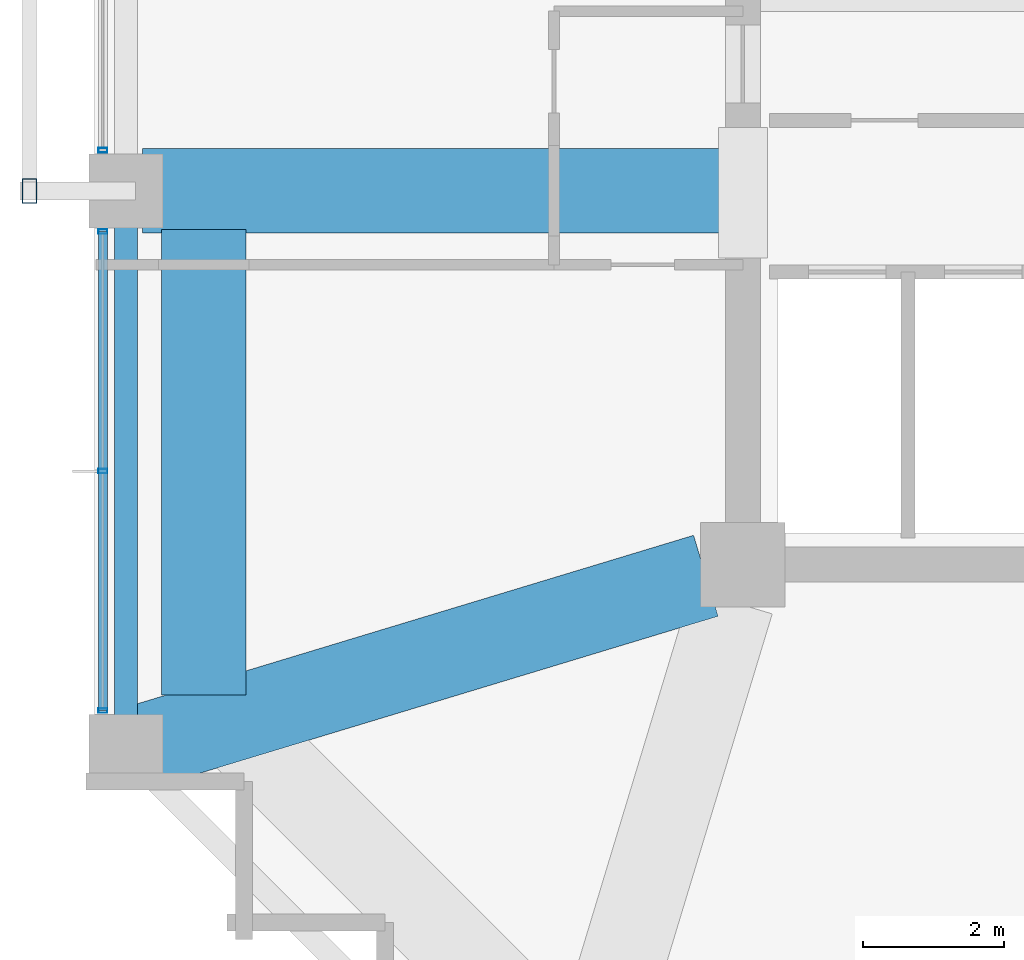
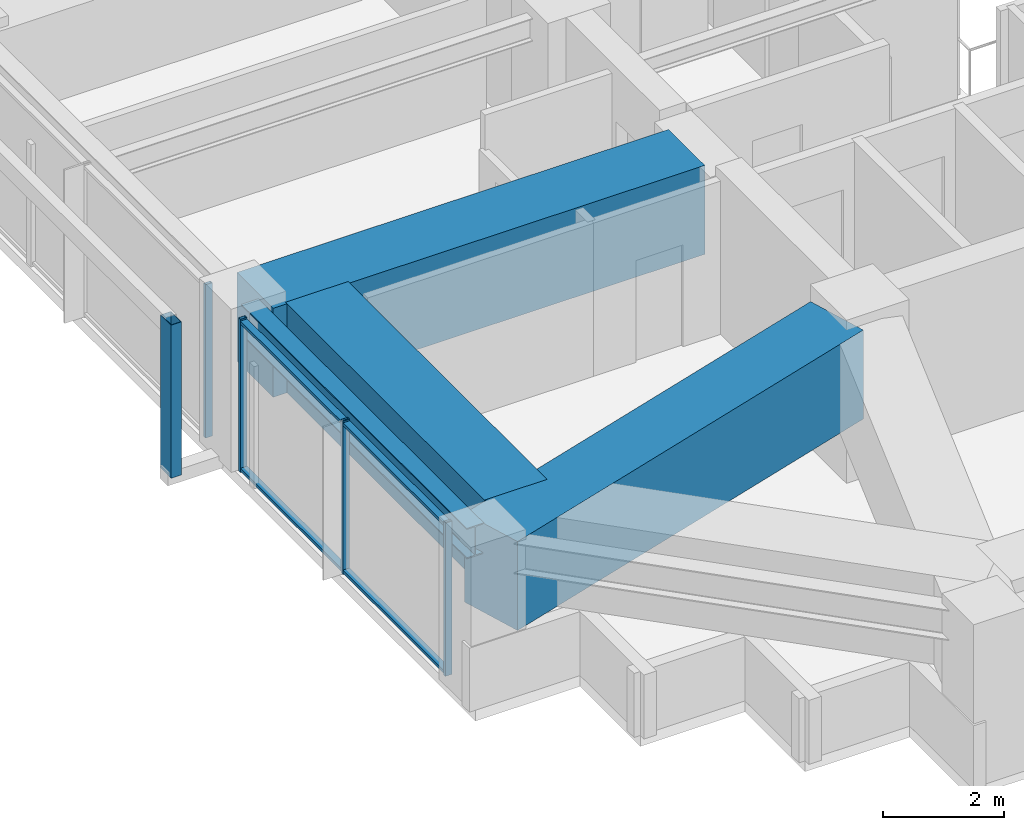
# One storey, part 3 of 28: 7 members, 4 beams, 2 elements without a shape of their own.
"""IFC4 building model written with IfcOpenShell, lengths in metres."""

import ifcopenshell
import ifcopenshell.guid

model = None  # the IFC model being written
_history = None  # IfcOwnerHistory: only IFC2X3 demands one
_inside = {}  # id of a spatial element -> (the spatial element, [elements in it])
_under = {}  # id of a project, library or spatial element -> (it, [spatial elements below it])
_declared = {}  # id of a project -> (the project, [libraries it declares])
_typed = {}  # id of a type object -> (the type object, [elements of that type])
_made_of = {}  # id of a material, layer set ... -> (it, [elements and type objects made of it])


def new_model(schema):
    """Start an empty IFC model of exactly this schema.

    Asked for "IFC4X3", IfcOpenShell would pick the latest addendum, in which some entities
    have other attributes; the version numbers below select the first issue.
    IFC2X3 requires an IfcOwnerHistory on every rooted entity: one is made here for all.
    """
    global model, _history
    if schema == "IFC4X3":
        model = ifcopenshell.file(schema_version=(4, 3, 0, 0))
    else:
        model = ifcopenshell.file(schema=schema)
    _inside.clear()
    _under.clear()
    _declared.clear()
    _typed.clear()
    _made_of.clear()
    _history = None
    if model.schema == "IFC2X3":
        org = make("IfcOrganization", Name="unknown")
        user = make(
            "IfcPersonAndOrganization",
            ThePerson=make("IfcPerson", FamilyName="unknown"),
            TheOrganization=org,
        )
        app = make(
            "IfcApplication",
            ApplicationDeveloper=org,
            Version="unknown",
            ApplicationFullName="unknown",
            ApplicationIdentifier="unknown",
        )
        _history = make(
            "IfcOwnerHistory",
            OwningUser=user,
            OwningApplication=app,
            ChangeAction="ADDED",
            CreationDate=0,
        )
    return model


def make(cls, **values):
    """One entity of the class cls with the attributes given. An attribute that is None is left unset."""
    return model.create_entity(
        cls, **{name: value for name, value in values.items() if value is not None}
    )


def rooted(cls, **values):
    """An entity with a GlobalId (a new one), such as an element, a storey or a relation."""
    return make(cls, GlobalId=ifcopenshell.guid.new(), OwnerHistory=_history, **values)


def si_unit(unit_type, name, prefix=None):
    """IfcSIUnit, for example si_unit("LENGTHUNIT", "METRE", prefix="MILLI")."""
    return make("IfcSIUnit", UnitType=unit_type, Prefix=prefix, Name=name)


def assignment(units):
    """IfcUnitAssignment: the units of a project."""
    return None if units is None else make("IfcUnitAssignment", Units=units)


def point(xyz):
    """IfcCartesianPoint."""
    return None if xyz is None else make("IfcCartesianPoint", Coordinates=xyz)


def direction(xyz):
    """IfcDirection."""
    return None if xyz is None else make("IfcDirection", DirectionRatios=xyz)


def frame(location, z_axis=None, x_axis=None):
    """IfcAxis2Placement3D, a coordinate frame: its origin and axes. An axis left out is left unset."""
    return make(
        "IfcAxis2Placement3D",
        Location=point(location),
        Axis=direction(z_axis),
        RefDirection=direction(x_axis),
    )


def frame_2d(location, x_axis=None):
    """IfcAxis2Placement2D, a coordinate frame in the plane: its origin and x axis."""
    return make(
        "IfcAxis2Placement2D", Location=point(location), RefDirection=direction(x_axis)
    )


def origin():
    """The frame at (0, 0, 0) with its axes left unset."""
    return frame((0.0, 0.0, 0.0))


def origin_2d():
    """The frame at (0, 0) in the plane with its x axis left unset."""
    return frame_2d((0.0, 0.0))


def place(relative_to, where):
    """IfcLocalPlacement: puts the frame where relative to a parent placement (None: the world)."""
    return make(
        "IfcLocalPlacement", PlacementRelTo=relative_to, RelativePlacement=where
    )


def context(
    kind, dimensions, precision=None, world=None, true_north=None, identifier=None
):
    """IfcGeometricRepresentationContext, for example the 3D "Model" context."""
    return make(
        "IfcGeometricRepresentationContext",
        ContextIdentifier=identifier,
        ContextType=kind,
        CoordinateSpaceDimension=dimensions,
        Precision=precision,
        WorldCoordinateSystem=world,
        TrueNorth=true_north,
    )


def subcontext(parent, identifier, kind, view, scale=None):
    """IfcGeometricRepresentationSubContext, for example "Body" below "Model"."""
    return make(
        "IfcGeometricRepresentationSubContext",
        ContextIdentifier=identifier,
        ContextType=kind,
        ParentContext=parent,
        TargetScale=scale,
        TargetView=view,
    )


def project(units=None, contexts=None):
    """IfcProject with its units and contexts."""
    return rooted(
        "IfcProject",
        Name="project",
        RepresentationContexts=contexts,
        UnitsInContext=assignment(units),
    )


def spatial(cls, under=None, at=None, **own):
    """A site, building, storey or space (cls), placed at a placement, below another one or the project."""
    s = rooted(cls, ObjectPlacement=at, **own)
    if under is not None:
        _under.setdefault(under.id(), (under, []))[1].append(s)
    return s


def profile(cls, at=None, kind="AREA", **sizes):
    """A parametric profile (cls). Its sizes go by their IFC names, for example OverallWidth=200.0."""
    return make(cls, ProfileType=kind, Position=at, **sizes)


def rectangle(**sizes):
    """IfcRectangleProfileDef."""
    return profile("IfcRectangleProfileDef", **sizes)


def hollow_rectangle(**sizes):
    """IfcRectangleHollowProfileDef."""
    return profile("IfcRectangleHollowProfileDef", **sizes)


def i_section(**sizes):
    """IfcIShapeProfileDef."""
    return profile("IfcIShapeProfileDef", **sizes)


def extrude(swept, where, along, depth):
    """IfcExtrudedAreaSolid: the profile swept, set in the frame where, extruded along a direction by depth."""
    return make(
        "IfcExtrudedAreaSolid",
        SweptArea=swept,
        Position=where,
        ExtrudedDirection=direction(along),
        Depth=depth,
    )


def shape(context_of_items, identifier, shape_type, items):
    """IfcShapeRepresentation: the items that make up one representation, for example the "Body"."""
    return make(
        "IfcShapeRepresentation",
        ContextOfItems=context_of_items,
        RepresentationIdentifier=identifier,
        RepresentationType=shape_type,
        Items=items,
    )


def material(Name=None, Category=None):
    """IfcMaterial."""
    return make("IfcMaterial", Name=Name, Category=Category)


def material_profile(
    of_material, cross_section, Name=None, Category=None, Priority=None
):
    """IfcMaterialProfile: a cross section and its material."""
    return make(
        "IfcMaterialProfile",
        Name=Name,
        Material=of_material,
        Profile=cross_section,
        Priority=Priority,
        Category=Category,
    )


def profile_set(profiles, Name=None, composite=None):
    """IfcMaterialProfileSet."""
    return make(
        "IfcMaterialProfileSet",
        Name=Name,
        MaterialProfiles=profiles,
        CompositeProfile=composite,
    )


def made_of(thing, what):
    """Note that an element or type object is made of a material, layer set ...; save() writes the relation."""
    if what is not None:
        _made_of.setdefault(what.id(), (what, []))[1].append(thing)
    return thing


def type_object(cls, material=None, **own):
    """A type object (cls), such as IfcWallType, which elements share."""
    return made_of(rooted(cls, **own), material)


def element(
    cls,
    number,
    at=None,
    inside=None,
    cuts=None,
    type_object=None,
    material=None,
    context=None,
    identifier="Body",
    shape_type=None,
    held_by="IfcProductDefinitionShape",
    body=None,
    shapes=None,
    **own,
):
    """One element of the class cls, such as IfcWall. Its Tag is "e" and its number.

    at: its placement. inside: the storey or other place that contains it. cuts: it is an
    opening in that element (IfcRelVoidsElement). A single representation is given by context,
    identifier, shape_type and body (its items); several are given by shapes. held_by: the class
    of the entity that holds the representations. save() writes the other relations.
    """
    e = rooted(cls, Tag="e%d" % number, ObjectPlacement=at, **own)
    if body is not None:
        shapes = [shape(context, identifier, shape_type, body)]
    if shapes is not None:
        e.Representation = make(held_by, Representations=shapes)
    if inside is not None:
        _inside.setdefault(inside.id(), (inside, []))[1].append(e)
    if cuts is not None:
        rooted(
            "IfcRelVoidsElement", RelatingBuildingElement=cuts, RelatedOpeningElement=e
        )
    if type_object is not None:
        _typed.setdefault(type_object.id(), (type_object, []))[1].append(e)
    return made_of(e, material)


def aggregate(whole, parts):
    """IfcRelAggregates: a whole, such as a stair, and the parts it consists of."""
    return rooted("IfcRelAggregates", RelatingObject=whole, RelatedObjects=parts)


def save(model, path):
    """Write the relations noted so far, then the file.

    IfcRelAggregates (storeys below a building ...), IfcRelContainedInSpatialStructure (elements
    in a storey), IfcRelDefinesByType, IfcRelAssociatesMaterial and IfcRelDeclares: one each for
    every whole, place, type object, material and project.
    """
    for whole, parts in _under.values():
        aggregate(whole, parts)
    for where, things in _inside.values():
        rooted(
            "IfcRelContainedInSpatialStructure",
            RelatedElements=things,
            RelatingStructure=where,
        )
    for kind, things in _typed.values():
        rooted("IfcRelDefinesByType", RelatedObjects=things, RelatingType=kind)
    for what, things in _made_of.values():
        rooted("IfcRelAssociatesMaterial", RelatedObjects=things, RelatingMaterial=what)
    for by, libraries in _declared.values():
        rooted("IfcRelDeclares", RelatingContext=by, RelatedDefinitions=libraries)
    model.write(path)


model = new_model("IFC4")

# Units and contexts
model_context = context("Model", 3, precision=1e-05, world=origin(), true_north=direction((0.0, 1.0)))
body_context = subcontext(model_context, "Body", "Model", "MODEL_VIEW")
ifc_project = project(units=[si_unit("LENGTHUNIT", "METRE"), si_unit("AREAUNIT", "SQUARE_METRE"), si_unit("VOLUMEUNIT", "CUBIC_METRE"), si_unit("PLANEANGLEUNIT", "RADIAN"), si_unit("MASSUNIT", "GRAM", prefix="KILO")], contexts=[model_context])

# Site, building, storey
site_placement = place(None, origin())
site = spatial("IfcSite", under=ifc_project, at=site_placement, CompositionType="ELEMENT")
building_placement = place(site_placement, origin())
building = spatial("IfcBuilding", under=site, at=building_placement, Name="Kolvaren Belvedere", CompositionType="ELEMENT")
storey_placement = place(building_placement, frame((0.0, 0.0, 125.0)))
storey = spatial("IfcBuildingStorey", under=building, at=storey_placement, Name="L36", CompositionType="ELEMENT", Elevation=125.0)

# Beams
ifc_material_1 = material(Name="Structural steel ASTM A992 Grade 50", Category="steel")
ifc_material_profile_1 = material_profile(ifc_material_1, i_section(OverallWidth=0.324951171875, OverallDepth=0.615966796875, WebThickness=0.013916015625, FlangeThickness=0.021484375, FilletRadius=0.02001953125, at=origin_2d()), Name="W24X117")
ifc_profile_set_1 = profile_set([ifc_material_profile_1], Name="Structural steel ASTM A992 Grade 50")
beam_type_1 = type_object("IfcBeamType", Name="BM-SPAN-W24X117", PredefinedType="SPANDREL", material=ifc_profile_set_1)
beam_1_placement = place(storey_placement, frame((-18.64990234375, -4.836181640625, 2.7919921875), z_axis=(0.0, -1.0, 0.0), x_axis=(1.0, 0.0, 0.0)))
element("IfcBeam", 1, at=beam_1_placement, inside=storey, type_object=beam_type_1, Name="L36 Perimeter Spandrel W2-W1", PredefinedType="SPANDREL", context=body_context, shape_type="SweptSolid", body=[
    extrude(i_section(OverallWidth=0.324951171875, OverallDepth=0.615966796875, WebThickness=0.013916015625, FlangeThickness=0.021484375, FilletRadius=0.02001953125, at=origin_2d()), origin(), (0.0, 0.0, 1.0), 7.4775390625),
])
ifc_material_2 = material(Name="Concrete C50/60", Category="concrete")
ifc_material_profile_2 = material_profile(ifc_material_2, rectangle(XDim=1.199951171875, YDim=1.800048828125, at=origin_2d()), Name="RC 1200X1800")
ifc_profile_set_2 = profile_set([ifc_material_profile_2], Name="Concrete C50/60")
beam_type_2 = type_object("IfcBeamType", Name="BM-TG-1800", PredefinedType="BEAM", material=ifc_profile_set_2)
beam_2_placement = place(storey_placement, frame((-17.550048828125, -5.14990234375, 2.199951171875), z_axis=(0.0, -1.0, 0.0), x_axis=(1.0, 0.0, 0.0)))
element("IfcBeam", 2, at=beam_2_placement, inside=storey, type_object=beam_type_2, Name="L36 Step Transfer Ring Girder W2-W1", PredefinedType="BEAM", context=body_context, shape_type="SweptSolid", body=[
    extrude(rectangle(XDim=1.199951171875, YDim=1.800048828125, at=origin_2d()), origin(), (0.0, 0.0, 1.0), 6.60009765625),
])
beam_3_placement = place(storey_placement, frame((-10.14990234375, -4.60009765625, 2.199951171875), z_axis=(-1.0, 0.0, 0.0), x_axis=(0.0, -1.0, 0.0)))
element("IfcBeam", 3, at=beam_3_placement, inside=storey, type_object=beam_type_2, Name="L36 West Radial Girder M", PredefinedType="BEAM", context=body_context, shape_type="SweptSolid", body=[
    extrude(rectangle(XDim=1.199951171875, YDim=1.800048828125, at=origin_2d()), origin(), (0.0, 0.0, 1.0), 8.263916015625),
])
beam_4_placement = place(storey_placement, frame((-10.426513671875, -10.059326171875, 2.199951171875), z_axis=(-0.957069465398, -0.289858652454, 0.0), x_axis=(0.289858652454, -0.957069465398, 0.0)))
element("IfcBeam", 4, at=beam_4_placement, inside=storey, type_object=beam_type_2, Name="L36 Corner Core-to-Perimeter Girder CC1-W1", PredefinedType="BEAM", context=body_context, shape_type="SweptSolid", body=[
    extrude(rectangle(XDim=1.199951171875, YDim=1.800048828125, at=origin_2d()), origin(), (0.0, 0.0, 1.0), 8.38232421875),
])

# Curtain wall, members
ifc_material_3 = material(Name="Anodised pale-metal aluminium AA 6063-T6", Category="aluminium")
curtain_wall_type = type_object("IfcCurtainWallType", Name="CW-Z3-WAIST", PredefinedType="NOTDEFINED", material=ifc_material_3)
curtain_wall_1_placement = place(storey_placement, origin())
curtain_wall_1 = element("IfcCurtainWall", 5, at=curtain_wall_1_placement, inside=storey, type_object=curtain_wall_type, Name="L36 Unitised Curtain Wall FCW-L36-W-B1", PredefinedType="NOTDEFINED")
ifc_material_4 = material(Name="Anodised pale-metal aluminium AA 6063-T6", Category="aluminium")
ifc_material_profile_3 = material_profile(ifc_material_4, hollow_rectangle(XDim=0.06494140625, YDim=0.1298828125, WallThickness=0.00390625, at=origin_2d()), Name="ALU-MUL-130X65")
ifc_profile_set_3 = profile_set([ifc_material_profile_3], Name="Anodised pale-metal aluminium AA 6063-T6")
member_type_1 = type_object("IfcMemberType", Name="CW-MUL-130", PredefinedType="MULLION", material=ifc_profile_set_3)
member_1_placement = place(storey_placement, frame((-18.97998046875, -11.972412109375, 0.0), z_axis=(0.0, 0.0, 1.0), x_axis=(0.0, 1.0, 0.0)))
member_1 = element("IfcMember", 6, at=member_1_placement, type_object=member_type_1, Name="FCW-L36-W-B1 Unitised Mullion 1", PredefinedType="MULLION", context=body_context, shape_type="SweptSolid", body=[
    extrude(hollow_rectangle(XDim=0.06494140625, YDim=0.1298828125, WallThickness=0.00390625, at=origin_2d()), origin(), (0.0, 0.0, 1.0), 3.10009765625),
])
member_2_placement = place(storey_placement, frame((-18.97998046875, -8.574951171875, 0.0), z_axis=(0.0, 0.0, 1.0), x_axis=(0.0, 1.0, 0.0)))
member_2 = element("IfcMember", 7, at=member_2_placement, type_object=member_type_1, Name="FCW-L36-W-B1 Unitised Mullion 2", PredefinedType="MULLION", context=body_context, shape_type="SweptSolid", body=[
    extrude(hollow_rectangle(XDim=0.06494140625, YDim=0.1298828125, WallThickness=0.00390625, at=origin_2d()), origin(), (0.0, 0.0, 1.0), 3.10009765625),
])
member_3_placement = place(storey_placement, frame((-18.97998046875, -5.177490234375, 0.0), z_axis=(0.0, 0.0, 1.0), x_axis=(0.0, 1.0, 0.0)))
member_3 = element("IfcMember", 8, at=member_3_placement, type_object=member_type_1, Name="FCW-L36-W-B1 Unitised Mullion 3", PredefinedType="MULLION", context=body_context, shape_type="SweptSolid", body=[
    extrude(hollow_rectangle(XDim=0.06494140625, YDim=0.1298828125, WallThickness=0.00390625, at=origin_2d()), origin(), (0.0, 0.0, 1.0), 3.10009765625),
])

# Curtain wall, member
curtain_wall_2_placement = place(storey_placement, origin())
curtain_wall_2 = element("IfcCurtainWall", 9, at=curtain_wall_2_placement, inside=storey, type_object=curtain_wall_type, Name="L36 Unitised Curtain Wall FCW-L36-W-B2", PredefinedType="NOTDEFINED")
member_4_placement = place(storey_placement, frame((-18.97998046875, -4.0224609375, 0.0), z_axis=(0.0, 0.0, 1.0), x_axis=(0.0, 1.0, 0.0)))
member_4 = element("IfcMember", 10, at=member_4_placement, type_object=member_type_1, Name="FCW-L36-W-B2 Unitised Mullion 1", PredefinedType="MULLION", context=body_context, shape_type="SweptSolid", body=[
    extrude(hollow_rectangle(XDim=0.06494140625, YDim=0.1298828125, WallThickness=0.00390625, at=origin_2d()), origin(), (0.0, 0.0, 1.0), 3.10009765625),
])
aggregate(curtain_wall_2, [member_4])

# Member
ifc_material_5 = material(Name="Anodised pale-metal aluminium AA 6063-T6", Category="aluminium")
ifc_material_profile_4 = material_profile(ifc_material_5, hollow_rectangle(XDim=0.06005859375, YDim=0.1298828125, WallThickness=0.00390625, at=origin_2d()), Name="ALU-TRN-130X60")
ifc_profile_set_4 = profile_set([ifc_material_profile_4], Name="Anodised pale-metal aluminium AA 6063-T6")
member_type_2 = type_object("IfcMemberType", Name="CW-TRN-130", PredefinedType="USERDEFINED", material=ifc_profile_set_4)
member_5_placement = place(storey_placement, frame((-18.97998046875, -11.972412109375, 0.06005859375), z_axis=(0.0, 1.0, 0.0), x_axis=(0.0, 0.0, 1.0)))
member_5 = element("IfcMember", 11, at=member_5_placement, type_object=member_type_2, Name="FCW-L36-W-B1 Sill Transom", ObjectType="TRANSOM", PredefinedType="USERDEFINED", context=body_context, shape_type="SweptSolid", body=[
    extrude(hollow_rectangle(XDim=0.06005859375, YDim=0.1298828125, WallThickness=0.00390625, at=origin_2d()), origin(), (0.0, 0.0, 1.0), 6.794921875),
])

member_6_placement = place(storey_placement, frame((-18.97998046875, -11.972412109375, 3.0400390625), z_axis=(0.0, 1.0, 0.0), x_axis=(0.0, 0.0, 1.0)))
member_6 = element("IfcMember", 12, at=member_6_placement, type_object=member_type_2, Name="FCW-L36-W-B1 Head Transom", ObjectType="TRANSOM", PredefinedType="USERDEFINED", context=body_context, shape_type="SweptSolid", body=[
    extrude(hollow_rectangle(XDim=0.06005859375, YDim=0.1298828125, WallThickness=0.00390625, at=origin_2d()), origin(), (0.0, 0.0, 1.0), 6.794921875),
])

aggregate(curtain_wall_1, [member_1, member_2, member_3, member_5, member_6])

ifc_material_6 = material(Name="Anodised pale-metal aluminium AA 6063-T6", Category="aluminium")
ifc_material_profile_5 = material_profile(ifc_material_6, hollow_rectangle(XDim=0.199951171875, YDim=0.35009765625, WallThickness=0.007568359375, at=origin_2d()), Name="ALU-PF-350X200")
ifc_profile_set_5 = profile_set([ifc_material_profile_5], Name="Anodised pale-metal aluminium AA 6063-T6")
member_type_3 = type_object("IfcMemberType", Name="PF-FRAME-350", PredefinedType="USERDEFINED", material=ifc_profile_set_5)
member_7_placement = place(storey_placement, frame((-20.02001953125, -4.60009765625, 0.0), z_axis=(0.0, 0.0, 1.0), x_axis=(1.0, 0.0, 0.0)))
element("IfcMember", 13, at=member_7_placement, inside=storey, type_object=member_type_3, Name="L36 Outboard Picture-Frame Vertical W1", ObjectType="PICTURE FRAME FIN", PredefinedType="USERDEFINED", context=body_context, shape_type="SweptSolid", body=[
    extrude(hollow_rectangle(XDim=0.199951171875, YDim=0.35009765625, WallThickness=0.007568359375, at=origin_2d()), origin(), (0.0, 0.0, 1.0), 3.10009765625),
])

save(model, "model.ifc")
